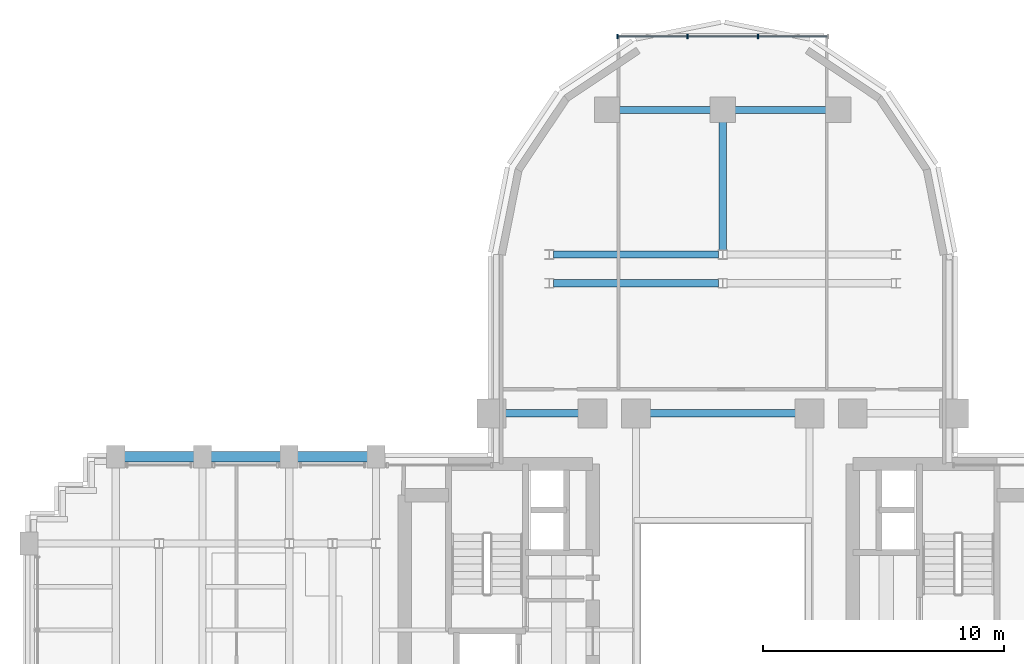
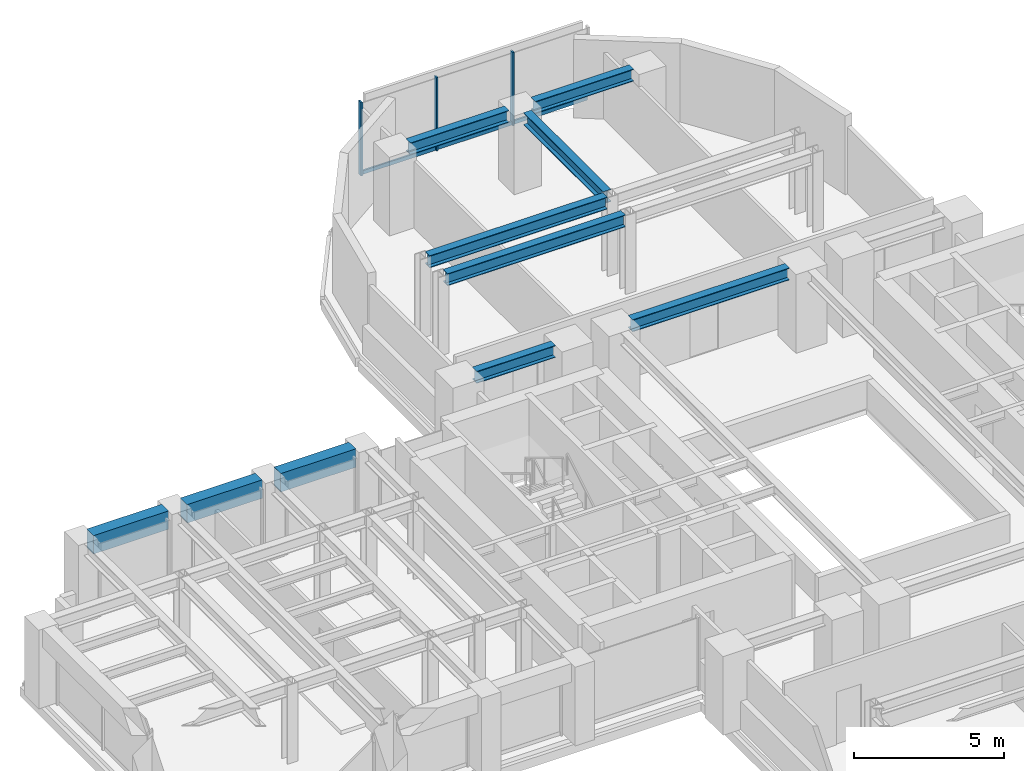
# One storey, part 7 of 16: 10 beams, 6 members, 1 element without a shape of its own.
"""IFC4 building model written with IfcOpenShell, lengths in metres."""

from ifc_helpers import new_model, si_unit, direction, frame, origin, origin_2d, place, context, subcontext, project, spatial, rectangle, i_section, extrude, source, transform, mapped, material, material_profile, profile_set, type_object, element, aggregate, save


model = new_model("IFC4")

# Units and contexts
model_context = context("Model", 3, precision=1e-05, world=origin(), true_north=direction((0.0, 1.0)))
body_context = subcontext(model_context, "Body", "Model", "MODEL_VIEW")
ifc_project = project(units=[si_unit("LENGTHUNIT", "METRE"), si_unit("AREAUNIT", "SQUARE_METRE"), si_unit("VOLUMEUNIT", "CUBIC_METRE"), si_unit("PLANEANGLEUNIT", "RADIAN"), si_unit("MASSUNIT", "GRAM", prefix="KILO")], contexts=[model_context])

# Site, building, storey
site_placement = place(None, origin())
site = spatial("IfcSite", under=ifc_project, at=site_placement, CompositionType="ELEMENT")
building_placement = place(site_placement, origin())
building = spatial("IfcBuilding", under=site, at=building_placement, Name="Keilestroom Media Tower", CompositionType="ELEMENT")
storey_placement = place(building_placement, frame((0.0, 0.0, 81.60009765625)))
storey = spatial("IfcBuildingStorey", under=building, at=storey_placement, Name="L21", CompositionType="ELEMENT", Elevation=81.60009765625)

# Beams
ifc_material_1 = material(Name="Precast concrete C40/50", Category="concrete")
ifc_material_profile_1 = material_profile(ifc_material_1, rectangle(XDim=0.449951171875, YDim=0.75, at=origin_2d()), Name="PC 450x750")
ifc_profile_set_1 = profile_set([ifc_material_profile_1], Name="Precast concrete C40/50")
beam_type_1 = type_object("IfcBeamType", Name="Perimeter-Spandrel-Beam-PC-450x750", PredefinedType="SPANDREL", material=ifc_profile_set_1)
shared_shape_1 = source(origin(), body_context, "Body", "SweptSolid", [
    extrude(rectangle(XDim=0.449951171875, YDim=0.75, at=origin_2d()), origin(), (0.0, 0.0, 1.0), 2.889892578125),
])
beam_1_placement = place(storey_placement, frame((-24.844970703125, 7.199951171875, 2.824951171875), z_axis=(1.0, 0.0, 0.0), x_axis=(0.0, 1.0, 0.0)))
element("IfcBeam", 1, at=beam_1_placement, inside=storey, type_object=beam_type_1, Name="L21 Beam SPB-1 BM-L21-EW-034", PredefinedType="SPANDREL", context=body_context, shape_type="MappedRepresentation", body=[
    mapped(shared_shape_1, transform((0.0, 0.0, 0.0), x_axis=(1.0, 0.0, 0.0), y_axis=(0.0, 1.0, 0.0), z_axis=(0.0, 0.0, 1.0), scale=1.0)),
])
shared_shape_2 = source(origin(), body_context, "Body", "SweptSolid", [
    extrude(rectangle(XDim=0.449951171875, YDim=0.75, at=origin_2d()), origin(), (0.0, 0.0, 1.0), 2.89013671875),
])
for number, where, z_axis, x_axis, name in (
    (2, (-21.2451171875, 7.199951171875, 2.824951171875), (1.0, 0.0, 0.0), (0.0, 1.0, 0.0), "L21 Beam SPB-1 BM-L21-EW-035"),
    (3, (-17.64501953125, 7.199951171875, 2.824951171875), (1.0, 0.0, 0.0), (0.0, 1.0, 0.0), "L21 Beam SPB-1 BM-L21-EW-036"),
):
    element("IfcBeam", number, at=place(storey_placement, frame(where, z_axis=z_axis, x_axis=x_axis)), inside=storey, type_object=beam_type_1, Name=name, PredefinedType="SPANDREL", context=body_context, shape_type="MappedRepresentation", body=[
        mapped(shared_shape_2, transform((0.0, 0.0, 0.0), x_axis=(1.0, 0.0, 0.0), y_axis=(0.0, 1.0, 0.0), z_axis=(0.0, 0.0, 1.0), scale=1.0)),
    ])
ifc_material_2 = material(Name="Steel S355", Category="steel")
ifc_material_profile_2 = material_profile(ifc_material_2, i_section(OverallWidth=0.300048828125, OverallDepth=0.5, WebThickness=0.012451171875, FlangeThickness=0.028076171875, at=origin_2d()), Name="HEB 500")
ifc_profile_set_2 = profile_set([ifc_material_profile_2], Name="Steel S355")
beam_type_2 = type_object("IfcBeamType", Name="Primary-Structural-Girder-HEB-500", PredefinedType="BEAM", material=ifc_profile_set_2)
shared_shape_3 = source(origin(), body_context, "Body", "SweptSolid", [
    extrude(i_section(OverallWidth=0.300048828125, OverallDepth=0.5, WebThickness=0.012451171875, FlangeThickness=0.028076171875, at=origin_2d()), origin(), (0.0, 0.0, 1.0), 5.3115234375),
])
beam_2_placement = place(storey_placement, frame((0.0, 15.783447265625, 2.949951171875), z_axis=(0.0, 1.0, 0.0), x_axis=(-1.0, 0.0, 0.0)))
element("IfcBeam", 4, at=beam_2_placement, inside=storey, type_object=beam_type_2, Name="L21 Beam BG-6 BM-L21-NS-070", PredefinedType="BEAM", context=body_context, shape_type="MappedRepresentation", body=[
    mapped(shared_shape_3, transform((0.0, 0.0, 0.0), x_axis=(1.0, 0.0, 0.0), y_axis=(0.0, 1.0, 0.0), z_axis=(0.0, 0.0, 1.0), scale=1.0)),
])
ifc_material_profile_3 = material_profile(ifc_material_2, i_section(OverallWidth=0.300048828125, OverallDepth=0.489990234375, WebThickness=0.011962890625, FlangeThickness=0.02294921875, at=origin_2d()), Name="HEA 500")
ifc_profile_set_3 = profile_set([ifc_material_profile_3], Name="Steel S355")
beam_type_3 = type_object("IfcBeamType", Name="Primary-Structural-Girder-HEA-500", PredefinedType="BEAM", material=ifc_profile_set_3)
shared_shape_4 = source(origin(), body_context, "Body", "SweptSolid", [
    extrude(i_section(OverallWidth=0.300048828125, OverallDepth=0.489990234375, WebThickness=0.011962890625, FlangeThickness=0.02294921875, at=origin_2d()), origin(), (0.0, 0.0, 1.0), 3.7900390625),
])
for number, where, z_axis, x_axis, name in (
    (5, (-4.294921875, 21.60009765625, 2.954833984375), (1.0, 0.0, 0.0), (0.0, 1.0, 0.0), "L21 Beam BG-10 BM-L21-EW-049"),
    (6, (0.5048828125, 21.60009765625, 2.954833984375), (1.0, 0.0, 0.0), (0.0, 1.0, 0.0), "L21 Beam BG-10 BM-L21-EW-050"),
):
    element("IfcBeam", number, at=place(storey_placement, frame(where, z_axis=z_axis, x_axis=x_axis)), inside=storey, type_object=beam_type_3, Name=name, PredefinedType="BEAM", context=body_context, shape_type="MappedRepresentation", body=[
        mapped(shared_shape_4, transform((0.0, 0.0, 0.0), x_axis=(1.0, 0.0, 0.0), y_axis=(0.0, 1.0, 0.0), z_axis=(0.0, 0.0, 1.0), scale=1.0)),
    ])
shared_shape_5 = source(origin(), body_context, "Body", "SweptSolid", [
    extrude(i_section(OverallWidth=0.300048828125, OverallDepth=0.489990234375, WebThickness=0.011962890625, FlangeThickness=0.02294921875, at=origin_2d()), origin(), (0.0, 0.0, 1.0), 6.836181640625),
])
for number, where, z_axis, x_axis, name in (
    (7, (-7.01806640625, 14.39990234375, 2.954833984375), (1.0, 0.0, 0.0), (0.0, 1.0, 0.0), "L21 Beam BG-10 BM-L21-EW-045"),
    (8, (-7.01806640625, 15.60009765625, 2.954833984375), (1.0, 0.0, 0.0), (0.0, 1.0, 0.0), "L21 Beam BG-10 BM-L21-EW-047"),
):
    element("IfcBeam", number, at=place(storey_placement, frame(where, z_axis=z_axis, x_axis=x_axis)), inside=storey, type_object=beam_type_3, Name=name, PredefinedType="BEAM", context=body_context, shape_type="MappedRepresentation", body=[
        mapped(shared_shape_5, transform((0.0, 0.0, 0.0), x_axis=(1.0, 0.0, 0.0), y_axis=(0.0, 1.0, 0.0), z_axis=(0.0, 0.0, 1.0), scale=1.0)),
    ])
shared_shape_6 = source(origin(), body_context, "Body", "SweptSolid", [
    extrude(i_section(OverallWidth=0.300048828125, OverallDepth=0.489990234375, WebThickness=0.011962890625, FlangeThickness=0.02294921875, at=origin_2d()), origin(), (0.0, 0.0, 1.0), 3.0400390625),
])
beam_3_placement = place(storey_placement, frame((-9.02001953125, 9.0, 2.954833984375), z_axis=(1.0, 0.0, 0.0), x_axis=(0.0, 1.0, 0.0)))
element("IfcBeam", 9, at=beam_3_placement, inside=storey, type_object=beam_type_3, Name="L21 Beam BG-10 BM-L21-EW-040", PredefinedType="BEAM", context=body_context, shape_type="MappedRepresentation", body=[
    mapped(shared_shape_6, transform((0.0, 0.0, 0.0), x_axis=(1.0, 0.0, 0.0), y_axis=(0.0, 1.0, 0.0), z_axis=(0.0, 0.0, 1.0), scale=1.0)),
])
shared_shape_7 = source(origin(), body_context, "Body", "SweptSolid", [
    extrude(i_section(OverallWidth=0.300048828125, OverallDepth=0.489990234375, WebThickness=0.011962890625, FlangeThickness=0.02294921875, at=origin_2d()), origin(), (0.0, 0.0, 1.0), 6.0400390625),
])
beam_4_placement = place(storey_placement, frame((-3.02001953125, 9.0, 2.954833984375), z_axis=(1.0, 0.0, 0.0), x_axis=(0.0, 1.0, 0.0)))
element("IfcBeam", 10, at=beam_4_placement, inside=storey, type_object=beam_type_3, Name="L21 Beam BG-10 BM-L21-EW-042", PredefinedType="BEAM", context=body_context, shape_type="MappedRepresentation", body=[
    mapped(shared_shape_7, transform((0.0, 0.0, 0.0), x_axis=(1.0, 0.0, 0.0), y_axis=(0.0, 1.0, 0.0), z_axis=(0.0, 0.0, 1.0), scale=1.0)),
])

# Curtain wall, members
ifc_material_3 = material(Name="Anodised Aluminium Alloy", Category="aluminium")
curtain_wall_type = type_object("IfcCurtainWallType", Name="Unitised-Curtain-Wall-CW-6", PredefinedType="NOTDEFINED", material=ifc_material_3)
curtain_wall_placement = place(storey_placement, origin())
curtain_wall = element("IfcCurtainWall", 11, at=curtain_wall_placement, inside=storey, type_object=curtain_wall_type, Name="L21 Curtain Wall CW-6 CW-L21-LN-1", PredefinedType="NOTDEFINED")
ifc_material_profile_4 = material_profile(ifc_material_3, rectangle(XDim=0.06494140625, YDim=0.179931640625, at=origin_2d()), Name="ALU MULLION 65x180")
ifc_profile_set_4 = profile_set([ifc_material_profile_4], Name="Anodised Aluminium Alloy")
member_type_1 = type_object("IfcMemberType", Name="Curtain-Wall-Mullion-CW-6", PredefinedType="MULLION", material=ifc_profile_set_4)
shared_shape_8 = source(origin(), body_context, "Body", "SweptSolid", [
    extrude(rectangle(XDim=0.06494140625, YDim=0.179931640625, at=origin_2d()), origin(), (0.0, 0.0, 1.0), 2.97998046875),
])
member_1_placement = place(storey_placement, frame((-4.367431640625, 24.64990234375, 0.0), z_axis=(0.0, 0.0, 1.0), x_axis=(1.0, 0.0, 0.0)))
member_1 = element("IfcMember", 12, at=member_1_placement, type_object=member_type_1, Name="CW-6 Mullion 00", PredefinedType="MULLION", context=body_context, shape_type="MappedRepresentation", body=[
    mapped(shared_shape_8, transform((0.0, 0.0, 0.0), x_axis=(1.0, 0.0, 0.0), y_axis=(0.0, 1.0, 0.0), z_axis=(0.0, 0.0, 1.0), scale=1.0)),
])
member_2_placement = place(storey_placement, frame((-1.466796875, 24.64990234375, 0.0), z_axis=(0.0, 0.0, 1.0), x_axis=(1.0, 0.0, 0.0)))
member_2 = element("IfcMember", 13, at=member_2_placement, type_object=member_type_1, Name="CW-6 Mullion 01", PredefinedType="MULLION", context=body_context, shape_type="MappedRepresentation", body=[
    mapped(shared_shape_8, transform((0.0, 0.0, 0.0), x_axis=(1.0, 0.0, 0.0), y_axis=(0.0, 1.0, 0.0), z_axis=(0.0, 0.0, 1.0), scale=1.0)),
])
member_3_placement = place(storey_placement, frame((1.466796875, 24.64990234375, 0.0), z_axis=(0.0, 0.0, 1.0), x_axis=(1.0, 0.0, 0.0)))
member_3 = element("IfcMember", 14, at=member_3_placement, type_object=member_type_1, Name="CW-6 Mullion 02", PredefinedType="MULLION", context=body_context, shape_type="MappedRepresentation", body=[
    mapped(shared_shape_8, transform((0.0, 0.0, 0.0), x_axis=(1.0, 0.0, 0.0), y_axis=(0.0, 1.0, 0.0), z_axis=(0.0, 0.0, 1.0), scale=1.0)),
])
ifc_material_profile_5 = material_profile(ifc_material_3, rectangle(XDim=0.06494140625, YDim=0.14990234375, at=origin_2d()), Name="ALU TRANSOM 65x150")
ifc_profile_set_5 = profile_set([ifc_material_profile_5], Name="Anodised Aluminium Alloy")
member_type_2 = type_object("IfcMemberType", Name="Curtain-Wall-Transom-CW-6", PredefinedType="USERDEFINED", material=ifc_profile_set_5)
shared_shape_9 = source(origin(), body_context, "Body", "SweptSolid", [
    extrude(rectangle(XDim=0.06494140625, YDim=0.14990234375, at=origin_2d()), origin(), (0.0, 0.0, 1.0), 2.839599609375),
])
member_4_placement = place(storey_placement, frame((-4.3369140625, 24.64990234375, 0.074951171875), z_axis=(1.0, 0.0, 0.0), x_axis=(0.0, 1.0, 0.0)))
member_4 = element("IfcMember", 15, at=member_4_placement, type_object=member_type_2, Name="CW-6 Transom 00.1", ObjectType="TRANSOM", PredefinedType="USERDEFINED", context=body_context, shape_type="MappedRepresentation", body=[
    mapped(shared_shape_9, transform((0.0, 0.0, 0.0), x_axis=(1.0, 0.0, 0.0), y_axis=(0.0, 1.0, 0.0), z_axis=(0.0, 0.0, 1.0), scale=1.0)),
])
member_5_placement = place(storey_placement, frame((1.497314453125, 24.64990234375, 0.074951171875), z_axis=(1.0, 0.0, 0.0), x_axis=(0.0, 1.0, 0.0)))
member_5 = element("IfcMember", 16, at=member_5_placement, type_object=member_type_2, Name="CW-6 Transom 02.1", ObjectType="TRANSOM", PredefinedType="USERDEFINED", context=body_context, shape_type="MappedRepresentation", body=[
    mapped(shared_shape_9, transform((0.0, 0.0, 0.0), x_axis=(1.0, 0.0, 0.0), y_axis=(0.0, 1.0, 0.0), z_axis=(0.0, 0.0, 1.0), scale=1.0)),
])
shared_shape_10 = source(origin(), body_context, "Body", "SweptSolid", [
    extrude(rectangle(XDim=0.06494140625, YDim=0.14990234375, at=origin_2d()), origin(), (0.0, 0.0, 1.0), 2.87255859375),
])
member_6_placement = place(storey_placement, frame((-1.436279296875, 24.64990234375, 0.074951171875), z_axis=(1.0, 0.0, 0.0), x_axis=(0.0, 1.0, 0.0)))
member_6 = element("IfcMember", 17, at=member_6_placement, type_object=member_type_2, Name="CW-6 Transom 01.1", ObjectType="TRANSOM", PredefinedType="USERDEFINED", context=body_context, shape_type="MappedRepresentation", body=[
    mapped(shared_shape_10, transform((0.0, 0.0, 0.0), x_axis=(1.0, 0.0, 0.0), y_axis=(0.0, 1.0, 0.0), z_axis=(0.0, 0.0, 1.0), scale=1.0)),
])
aggregate(curtain_wall, [member_1, member_2, member_3, member_4, member_6, member_5])

save(model, "model.ifc")
